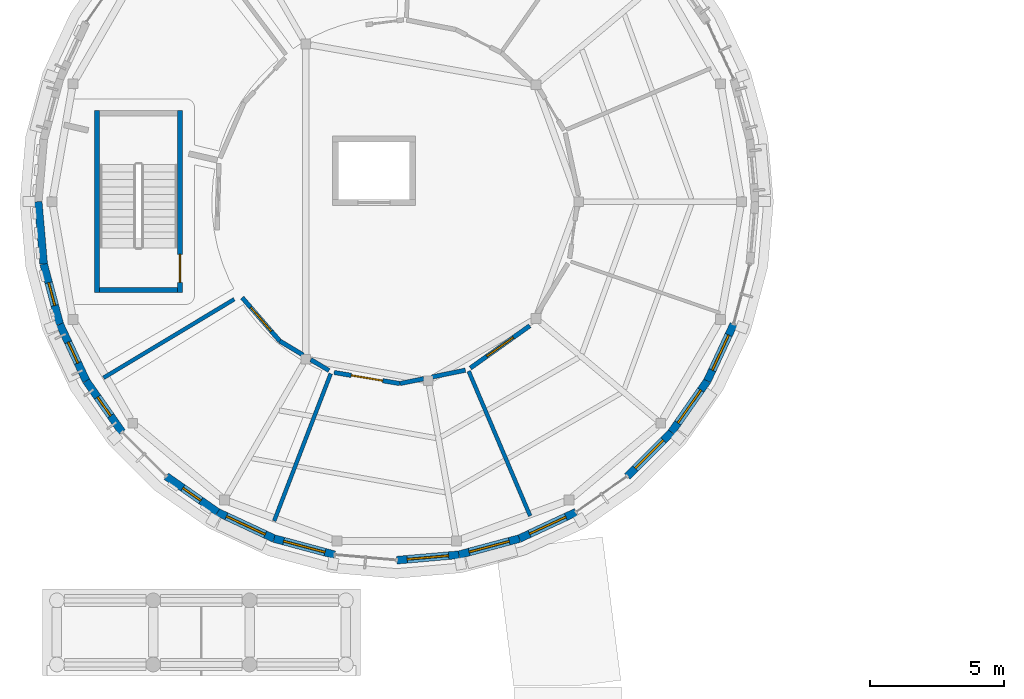
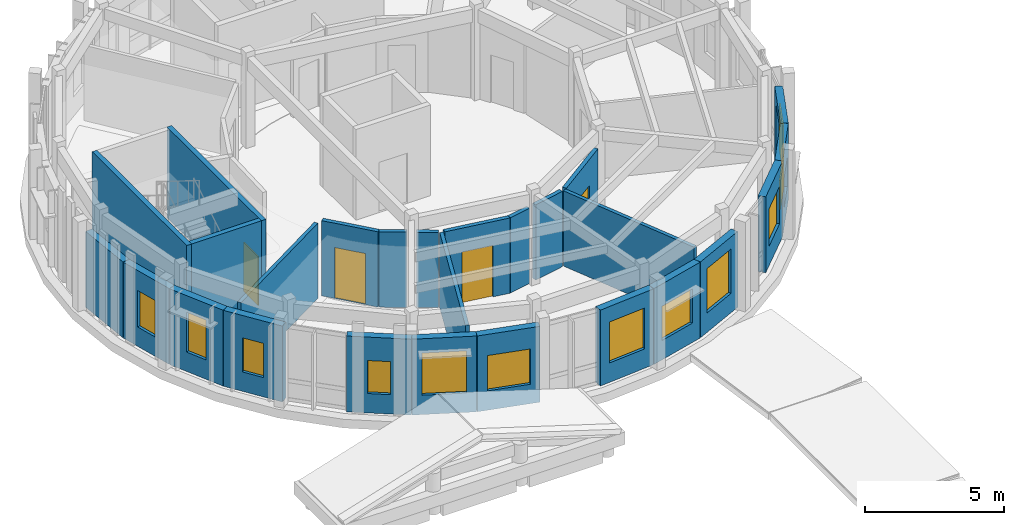
# One storey, part 36 of 58: 26 walls, 12 windows, 4 doors, 16 openings.
"""IFC4 building model written with IfcOpenShell, lengths in metres."""

from ifc_helpers import new_model, si_unit, direction, frame, frame_2d, origin, place, context, subcontext, project, spatial, rectangle, extrude, material, layer, layer_set, type_object, element, fill, save


model = new_model("IFC4")

# Units and contexts
model_context = context("Model", 3, precision=1e-05, world=origin(), true_north=direction((0.0, 1.0)))
body_context = subcontext(model_context, "Body", "Model", "MODEL_VIEW")
ifc_project = project(units=[si_unit("LENGTHUNIT", "METRE"), si_unit("AREAUNIT", "SQUARE_METRE"), si_unit("VOLUMEUNIT", "CUBIC_METRE"), si_unit("PLANEANGLEUNIT", "RADIAN"), si_unit("MASSUNIT", "GRAM", prefix="KILO")], contexts=[model_context])

# Site, building, storey
site_placement = place(None, origin())
site = spatial("IfcSite", under=ifc_project, at=site_placement, CompositionType="ELEMENT")
building_placement = place(site_placement, origin())
building = spatial("IfcBuilding", under=site, at=building_placement, Name="Aldenvaro Health Centre", CompositionType="ELEMENT")
storey_placement = place(building_placement, frame((0.0, 0.0, 8.75)))
storey = spatial("IfcBuildingStorey", under=building, at=storey_placement, Name="L02", CompositionType="ELEMENT", Elevation=8.75)

# Walls
ifc_material_1 = material(Name="Gypsum Stud Acoustic Assembly")
ifc_layer_1 = layer(ifc_material_1, 0.14501953125, Name="Gypsum Stud Acoustic Assembly")
ifc_layer_set_1 = layer_set([ifc_layer_1], Name="Gypsum Stud Acoustic Assembly")
wall_type_1 = type_object("IfcWallType", Name="WL-CLN-145", PredefinedType="PARTITIONING", material=ifc_layer_set_1)
wall_1_placement = place(storey_placement, frame((12.425048828125, 95.85009765625, 0.0), z_axis=(0.0, 0.0, 1.0), x_axis=(-0.857148493381, -0.515069374255, 0.0)))
element("IfcWall", 1, at=wall_1_placement, inside=storey, type_object=wall_type_1, Name="D4 L02 clinical partition 4.2", PredefinedType="PARTITIONING", context=body_context, shape_type="SweptSolid", body=[
    extrude(rectangle(XDim=5.694580078125, YDim=0.14501953125, at=frame_2d((2.84716796875, 0.0))), origin(), (0.0, 0.0, 1.0), 3.303955078125),
])
wall_2_placement = place(storey_placement, frame((16.032958984375, 93.073974609375, 0.0), z_axis=(0.0, 0.0, 1.0), x_axis=(-0.35829933208, -0.933606763381, 0.0)))
element("IfcWall", 2, at=wall_2_placement, inside=storey, type_object=wall_type_1, Name="D4 L02 clinical partition 5.1", PredefinedType="PARTITIONING", context=body_context, shape_type="SweptSolid", body=[
    extrude(rectangle(XDim=5.8974609375, YDim=0.14501953125, at=frame_2d((2.94873046875, 0.0))), origin(), (0.0, 0.0, 1.0), 3.303955078125),
])
wall_3_placement = place(storey_placement, frame((21.18896484375, 93.1640625, 0.0), z_axis=(0.0, 0.0, 1.0), x_axis=(0.390817685438, -0.920468107404, 0.0)))
element("IfcWall", 3, at=wall_3_placement, inside=storey, type_object=wall_type_1, Name="D4 L02 clinical partition 6.1", PredefinedType="PARTITIONING", context=body_context, shape_type="SweptSolid", body=[
    extrude(rectangle(XDim=5.875244140625, YDim=0.14501953125, at=frame_2d((2.9375, 0.0))), origin(), (0.0, 0.0, 1.0), 3.303955078125),
])

# Wall, opening, door
ifc_layer_2 = layer(ifc_material_1, 0.1650390625, Name="Gypsum Stud Acoustic Assembly")
ifc_layer_set_2 = layer_set([ifc_layer_2], Name="Gypsum Stud Acoustic Assembly")
wall_type_2 = type_object("IfcWallType", Name="WL-COR-165", PredefinedType="PARTITIONING", material=ifc_layer_set_2)
wall_4_placement = place(storey_placement, frame((12.72412109375, 95.912109375, 0.0), z_axis=(0.0, 0.0, 1.0), x_axis=(0.654887207042, -0.755726634473, 0.0)))
wall_4 = element("IfcWall", 4, at=wall_4_placement, inside=storey, type_object=wall_type_2, Name="D4 L02 corridor wall 04.1", PredefinedType="PARTITIONING", context=body_context, shape_type="SweptSolid", body=[
    extrude(rectangle(XDim=2.14501953125, YDim=0.1650390625, at=frame_2d((1.072509765625, 0.0))), origin(), (0.0, 0.0, 1.0), 3.303955078125),
])
opening_1_placement = place(wall_4_placement, frame((0.488037109375, 0.0, 0.0)))
opening_1 = element("IfcOpeningElement", 5, at=opening_1_placement, cuts=wall_4, Name="Opening D-25", PredefinedType="OPENING", context=body_context, shape_type="SweptSolid", body=[
    extrude(rectangle(XDim=1.169921875, YDim=2.239990234375, at=frame_2d((0.5849609375, 1.1201171875))), frame((0.0, 0.092529296875, 0.0), z_axis=(0.0, -1.0, 0.0), x_axis=(1.0, 0.0, 0.0)), (0.0, 0.0, 1.0), 0.18505859375),
])
ifc_material_2 = material(Name="Exam Suite Timber Door", Category="wood")
door_type_1 = type_object("IfcDoorType", Name="DR-CLN-25", OperationType="NOTDEFINED", PredefinedType="DOOR", material=ifc_material_2)
door_1_placement = place(opening_1_placement, origin())
door_1 = element("IfcDoor", 6, at=door_1_placement, inside=storey, type_object=door_type_1, Name="Midwifery Consulting Room Door", OperationType="SINGLE_SWING_LEFT", OverallHeight=2.239990234375, OverallWidth=1.169921875, PredefinedType="DOOR", context=body_context, shape_type="SweptSolid", body=[
    extrude(rectangle(XDim=1.169921875, YDim=2.239990234375, at=frame_2d((0.5849609375, 1.1201171875))), frame((0.0, 0.02490234375, 0.0), z_axis=(0.0, -1.0, 0.0), x_axis=(1.0, 0.0, 0.0)), (0.0, 0.0, 1.0), 0.050048828125),
])
fill(opening_1, door_1)

# Walls
wall_5_placement = place(storey_placement, frame((14.12890625, 94.291015625, 0.0), z_axis=(0.0, 0.0, 1.0), x_axis=(0.857789762301, -0.51400070398, 0.0)))
element("IfcWall", 7, at=wall_5_placement, inside=storey, type_object=wall_type_2, Name="D4 L02 corridor wall 04.2", PredefinedType="PARTITIONING", context=body_context, shape_type="SweptSolid", body=[
    extrude(rectangle(XDim=1.015625, YDim=0.1650390625, at=frame_2d((0.5078125, 0.0))), origin(), (0.0, 0.0, 1.0), 3.303955078125),
])
wall_6_placement = place(storey_placement, frame((15.287109375, 93.596923828125, 0.0), z_axis=(0.0, 0.0, 1.0), x_axis=(0.858142882263, -0.513410940301, 0.0)))
element("IfcWall", 8, at=wall_6_placement, inside=storey, type_object=wall_type_2, Name="D4 L02 corridor wall 04.3", PredefinedType="PARTITIONING", context=body_context, shape_type="SweptSolid", body=[
    extrude(rectangle(XDim=0.794677734375, YDim=0.1650390625, at=frame_2d((0.3974609375, 0.0))), origin(), (0.0, 0.0, 1.0), 3.303955078125),
])

# Wall, opening, door
wall_7_placement = place(storey_placement, frame((16.157958984375, 93.115966796875, 0.0), z_axis=(0.0, 0.0, 1.0), x_axis=(0.986074817065, -0.166302300497, 0.0)))
wall_7 = element("IfcWall", 9, at=wall_7_placement, inside=storey, type_object=wall_type_2, Name="D4 L02 corridor wall 05.1", PredefinedType="PARTITIONING", context=body_context, shape_type="SweptSolid", body=[
    extrude(rectangle(XDim=2.49560546875, YDim=0.1650390625, at=frame_2d((1.247802734375, 0.0))), origin(), (0.0, 0.0, 1.0), 3.303955078125),
])
opening_2_placement = place(wall_7_placement, frame((0.653076171875, 0.0, 0.0)))
opening_2 = element("IfcOpeningElement", 10, at=opening_2_placement, cuts=wall_7, Name="Opening D-26", PredefinedType="OPENING", context=body_context, shape_type="SweptSolid", body=[
    extrude(rectangle(XDim=1.18994140625, YDim=2.260009765625, at=frame_2d((0.594970703125, 1.1298828125))), frame((0.0, 0.092529296875, 0.0), z_axis=(0.0, -1.0, 0.0), x_axis=(1.0, 0.0, 0.0)), (0.0, 0.0, 1.0), 0.18505859375),
])
door_type_2 = type_object("IfcDoorType", Name="DR-CLN-26", OperationType="NOTDEFINED", PredefinedType="DOOR", material=ifc_material_2)
door_2_placement = place(opening_2_placement, origin())
door_2 = element("IfcDoor", 11, at=door_2_placement, inside=storey, type_object=door_type_2, Name="Colposcopy Procedure Room Door", OperationType="SINGLE_SWING_RIGHT", OverallHeight=2.260009765625, OverallWidth=1.18994140625, PredefinedType="DOOR", context=body_context, shape_type="SweptSolid", body=[
    extrude(rectangle(XDim=1.18994140625, YDim=2.260009765625, at=frame_2d((0.594970703125, 1.1298828125))), frame((0.0, 0.02490234375, 0.0), z_axis=(0.0, -1.0, 0.0), x_axis=(1.0, 0.0, 0.0)), (0.0, 0.0, 1.0), 0.050048828125),
])
fill(opening_2, door_2)

# Walls
wall_8_placement = place(storey_placement, frame((18.618896484375, 92.700927734375, 0.0), z_axis=(0.0, 0.0, 1.0), x_axis=(0.979621619883, 0.200851890353, 0.0)))
element("IfcWall", 12, at=wall_8_placement, inside=storey, type_object=wall_type_2, Name="D4 L02 corridor wall 05.2", PredefinedType="PARTITIONING", context=body_context, shape_type="SweptSolid", body=[
    extrude(rectangle(XDim=0.91162109375, YDim=0.1650390625, at=frame_2d((0.455810546875, 0.0))), origin(), (0.0, 0.0, 1.0), 3.303955078125),
])
wall_9_placement = place(storey_placement, frame((19.803955078125, 92.944091796875, 0.0), z_axis=(0.0, 0.0, 1.0), x_axis=(0.97970222492, 0.200458351001, 0.0)))
element("IfcWall", 13, at=wall_9_placement, inside=storey, type_object=wall_type_2, Name="D4 L02 corridor wall 05.3", PredefinedType="PARTITIONING", context=body_context, shape_type="SweptSolid", body=[
    extrude(rectangle(XDim=1.2861328125, YDim=0.1650390625, at=frame_2d((0.64306640625, 0.0))), origin(), (0.0, 0.0, 1.0), 3.303955078125),
])

# Wall, opening, door
wall_10_placement = place(storey_placement, frame((21.25, 93.281005859375, 0.0), z_axis=(0.0, 0.0, 1.0), x_axis=(0.814898961152, 0.579603039255, 0.0)))
wall_10 = element("IfcWall", 14, at=wall_10_placement, inside=storey, type_object=wall_type_2, Name="D4 L02 corridor wall 06.1", PredefinedType="PARTITIONING", context=body_context, shape_type="SweptSolid", body=[
    extrude(rectangle(XDim=2.727783203125, YDim=0.1650390625, at=frame_2d((1.36376953125, 0.0))), origin(), (0.0, 0.0, 1.0), 3.303955078125),
])
opening_3_placement = place(wall_10_placement, frame((0.759033203125, 0.0, 0.0)))
opening_3 = element("IfcOpeningElement", 15, at=opening_3_placement, cuts=wall_10, Name="Opening D-27", PredefinedType="OPENING", context=body_context, shape_type="SweptSolid", body=[
    extrude(rectangle(XDim=1.2099609375, YDim=2.159912109375, at=frame_2d((0.60498046875, 1.080078125))), frame((0.0, 0.092529296875, 0.0), z_axis=(0.0, -1.0, 0.0), x_axis=(1.0, 0.0, 0.0)), (0.0, 0.0, 1.0), 0.18505859375),
])
door_type_3 = type_object("IfcDoorType", Name="DR-CLN-27", OperationType="NOTDEFINED", PredefinedType="DOOR", material=ifc_material_2)
door_3_placement = place(opening_3_placement, origin())
door_3 = element("IfcDoor", 16, at=door_3_placement, inside=storey, type_object=door_type_3, Name="Perinatal Education Lounge Door", OperationType="SINGLE_SWING_LEFT", OverallHeight=2.159912109375, OverallWidth=1.2099609375, PredefinedType="DOOR", context=body_context, shape_type="SweptSolid", body=[
    extrude(rectangle(XDim=1.2099609375, YDim=2.159912109375, at=frame_2d((0.60498046875, 1.080078125))), frame((0.0, 0.02490234375, 0.0), z_axis=(0.0, -1.0, 0.0), x_axis=(1.0, 0.0, 0.0)), (0.0, 0.0, 1.0), 0.050048828125),
])
fill(opening_3, door_3)

# Wall, opening, window
ifc_material_3 = material(Name="Cross-laminated timber CLT E1", Category="wood")
ifc_layer_3 = layer(ifc_material_3, 0.2900390625, Name="Cross-laminated timber CLT E1", Category="wood")
ifc_layer_set_3 = layer_set([ifc_layer_3], Name="Cross-laminated timber CLT E1")
wall_type_3 = type_object("IfcWallType", Name="WL-EXT-290", PredefinedType="ELEMENTEDWALL", material=ifc_layer_set_3)
wall_11_placement = place(storey_placement, frame((31.092041015625, 94.9169921875, 0.0), z_axis=(0.0, 0.0, 1.0), x_axis=(-0.422587894318, -0.906321946979, 0.0)))
wall_11 = element("IfcWall", 17, at=wall_11_placement, inside=storey, type_object=wall_type_3, Name="D4 L02 exterior wall 03", PredefinedType="ELEMENTEDWALL", context=body_context, shape_type="SweptSolid", body=[
    extrude(rectangle(XDim=2.335693359375, YDim=0.2900390625, at=frame_2d((1.16796875, 0.0))), origin(), (0.0, 0.0, 1.0), 3.3291015625),
])
opening_4_placement = place(wall_11_placement, frame((0.443115234375, 0.0, 0.85009765625)))
opening_4 = element("IfcOpeningElement", 18, at=opening_4_placement, cuts=wall_11, Name="Opening W-61", PredefinedType="OPENING", context=body_context, shape_type="SweptSolid", body=[
    extrude(rectangle(XDim=1.449951171875, YDim=2.050048828125, at=frame_2d((0.72509765625, 1.02490234375))), frame((0.0, 0.155029296875, 0.0), z_axis=(0.0, -1.0, 0.0), x_axis=(1.0, 0.0, 0.0)), (0.0, 0.0, 1.0), 0.31005859375),
])
ifc_material_4 = material(Name="Thermally Broken Aluminium Low-E Glass", Category="aluminium")
window_type_1 = type_object("IfcWindowType", Name="WN-EXT-61", PartitioningType="SINGLE_PANEL", PredefinedType="WINDOW", material=ifc_material_4)
window_1_placement = place(opening_4_placement, origin())
window_1 = element("IfcWindow", 19, at=window_1_placement, inside=storey, type_object=window_type_1, Name="D4 L02 clinical window 03", OverallHeight=2.050048828125, OverallWidth=1.449951171875, PartitioningType="SINGLE_PANEL", PredefinedType="WINDOW", context=body_context, shape_type="SweptSolid", body=[
    extrude(rectangle(XDim=1.449951171875, YDim=2.050048828125, at=frame_2d((0.72509765625, 1.02490234375))), frame((0.0, 0.030029296875, 0.0), z_axis=(0.0, -1.0, 0.0), x_axis=(1.0, 0.0, 0.0)), (0.0, 0.0, 1.0), 0.06005859375),
])
fill(opening_4, window_1)

wall_12_placement = place(storey_placement, frame((30.10498046875, 92.800048828125, 0.0), z_axis=(0.0, 0.0, 1.0), x_axis=(-0.573728883722, -0.819045278347, 0.0)))
wall_12 = element("IfcWall", 20, at=wall_12_placement, inside=storey, type_object=wall_type_3, Name="D4 L02 exterior wall 04", PredefinedType="ELEMENTEDWALL", context=body_context, shape_type="SweptSolid", body=[
    extrude(rectangle(XDim=2.335693359375, YDim=0.2900390625, at=frame_2d((1.16796875, 0.0))), origin(), (0.0, 0.0, 1.0), 3.3291015625),
])
opening_5_placement = place(wall_12_placement, frame((0.41796875, 0.0, 0.85009765625)))
opening_5 = element("IfcOpeningElement", 21, at=opening_5_placement, cuts=wall_12, Name="Opening W-62", PredefinedType="OPENING", context=body_context, shape_type="SweptSolid", body=[
    extrude(rectangle(XDim=1.5, YDim=1.300048828125, at=frame_2d((0.75, 0.64990234375))), frame((0.0, 0.155029296875, 0.0), z_axis=(0.0, -1.0, 0.0), x_axis=(1.0, 0.0, 0.0)), (0.0, 0.0, 1.0), 0.31005859375),
])
window_type_2 = type_object("IfcWindowType", Name="WN-EXT-62", PartitioningType="SINGLE_PANEL", PredefinedType="WINDOW", material=ifc_material_4)
window_2_placement = place(opening_5_placement, origin())
window_2 = element("IfcWindow", 22, at=window_2_placement, inside=storey, type_object=window_type_2, Name="D4 L02 clinical window 04", OverallHeight=1.300048828125, OverallWidth=1.5, PartitioningType="SINGLE_PANEL", PredefinedType="WINDOW", context=body_context, shape_type="SweptSolid", body=[
    extrude(rectangle(XDim=1.5, YDim=1.300048828125, at=frame_2d((0.75, 0.64990234375))), frame((0.0, 0.030029296875, 0.0), z_axis=(0.0, -1.0, 0.0), x_axis=(1.0, 0.0, 0.0)), (0.0, 0.0, 1.0), 0.06005859375),
])
fill(opening_5, window_2)

wall_13_placement = place(storey_placement, frame((28.764892578125, 90.886962890625, 0.0), z_axis=(0.0, 0.0, 1.0), x_axis=(-0.707106781187, -0.707106781187, 0.0)))
wall_13 = element("IfcWall", 23, at=wall_13_placement, inside=storey, type_object=wall_type_3, Name="D4 L02 exterior wall 05", PredefinedType="ELEMENTEDWALL", context=body_context, shape_type="SweptSolid", body=[
    extrude(rectangle(XDim=2.336181640625, YDim=0.2900390625, at=frame_2d((1.16796875, 0.0))), origin(), (0.0, 0.0, 1.0), 3.3291015625),
])
opening_6_placement = place(wall_13_placement, frame((0.41796875, 0.0, 0.85009765625)))
opening_6 = element("IfcOpeningElement", 24, at=opening_6_placement, cuts=wall_13, Name="Opening W-63", PredefinedType="OPENING", context=body_context, shape_type="SweptSolid", body=[
    extrude(rectangle(XDim=1.5, YDim=1.64990234375, at=frame_2d((0.75, 0.824951171875))), frame((0.0, 0.155029296875, 0.0), z_axis=(0.0, -1.0, 0.0), x_axis=(1.0, 0.0, 0.0)), (0.0, 0.0, 1.0), 0.31005859375),
])
window_type_3 = type_object("IfcWindowType", Name="WN-EXT-63", PartitioningType="SINGLE_PANEL", PredefinedType="WINDOW", material=ifc_material_4)
window_3_placement = place(opening_6_placement, origin())
window_3 = element("IfcWindow", 25, at=window_3_placement, inside=storey, type_object=window_type_3, Name="D4 L02 clinical window 05", OverallHeight=1.64990234375, OverallWidth=1.5, PartitioningType="SINGLE_PANEL", PredefinedType="WINDOW", context=body_context, shape_type="SweptSolid", body=[
    extrude(rectangle(XDim=1.5, YDim=1.64990234375, at=frame_2d((0.75, 0.824951171875))), frame((0.0, 0.030029296875, 0.0), z_axis=(0.0, -1.0, 0.0), x_axis=(1.0, 0.0, 0.0)), (0.0, 0.0, 1.0), 0.06005859375),
])
fill(opening_6, window_3)

wall_14_placement = place(storey_placement, frame((25.199951171875, 87.89501953125, 0.0), z_axis=(0.0, 0.0, 1.0), x_axis=(-0.906321946979, -0.422587894318, 0.0)))
wall_14 = element("IfcWall", 26, at=wall_14_placement, inside=storey, type_object=wall_type_3, Name="D4 L02 exterior wall 07", PredefinedType="ELEMENTEDWALL", context=body_context, shape_type="SweptSolid", body=[
    extrude(rectangle(XDim=2.335693359375, YDim=0.2900390625, at=frame_2d((1.16796875, 0.0))), origin(), (0.0, 0.0, 1.0), 3.3291015625),
])
opening_7_placement = place(wall_14_placement, frame((0.41796875, 0.0, 0.85009765625)))
opening_7 = element("IfcOpeningElement", 27, at=opening_7_placement, cuts=wall_14, Name="Opening W-64", PredefinedType="OPENING", context=body_context, shape_type="SweptSolid", body=[
    extrude(rectangle(XDim=1.5, YDim=1.949951171875, at=frame_2d((0.75, 0.97509765625))), frame((0.0, 0.155029296875, 0.0), z_axis=(0.0, -1.0, 0.0), x_axis=(1.0, 0.0, 0.0)), (0.0, 0.0, 1.0), 0.31005859375),
])
window_type_4 = type_object("IfcWindowType", Name="WN-EXT-64", PartitioningType="SINGLE_PANEL", PredefinedType="WINDOW", material=ifc_material_4)
window_4_placement = place(opening_7_placement, origin())
window_4 = element("IfcWindow", 28, at=window_4_placement, inside=storey, type_object=window_type_4, Name="D4 L02 clinical window 07", OverallHeight=1.949951171875, OverallWidth=1.5, PartitioningType="SINGLE_PANEL", PredefinedType="WINDOW", context=body_context, shape_type="SweptSolid", body=[
    extrude(rectangle(XDim=1.5, YDim=1.949951171875, at=frame_2d((0.75, 0.97509765625))), frame((0.0, 0.030029296875, 0.0), z_axis=(0.0, -1.0, 0.0), x_axis=(1.0, 0.0, 0.0)), (0.0, 0.0, 1.0), 0.06005859375),
])
fill(opening_7, window_4)

wall_15_placement = place(storey_placement, frame((23.0830078125, 86.907958984375, 0.0), z_axis=(0.0, 0.0, 1.0), x_axis=(-0.965981166673, -0.258612423585, 0.0)))
wall_15 = element("IfcWall", 29, at=wall_15_placement, inside=storey, type_object=wall_type_3, Name="D4 L02 exterior wall 08", PredefinedType="ELEMENTEDWALL", context=body_context, shape_type="SweptSolid", body=[
    extrude(rectangle(XDim=2.33544921875, YDim=0.2900390625, at=frame_2d((1.167724609375, 0.0))), origin(), (0.0, 0.0, 1.0), 3.3291015625),
])
opening_8_placement = place(wall_15_placement, frame((0.39306640625, 0.0, 0.85009765625)))
opening_8 = element("IfcOpeningElement", 30, at=opening_8_placement, cuts=wall_15, Name="Opening W-65", PredefinedType="OPENING", context=body_context, shape_type="SweptSolid", body=[
    extrude(rectangle(XDim=1.550048828125, YDim=1.5, at=frame_2d((0.77490234375, 0.75))), frame((0.0, 0.155029296875, 0.0), z_axis=(0.0, -1.0, 0.0), x_axis=(1.0, 0.0, 0.0)), (0.0, 0.0, 1.0), 0.31005859375),
])
window_type_5 = type_object("IfcWindowType", Name="WN-EXT-65", PartitioningType="SINGLE_PANEL", PredefinedType="WINDOW", material=ifc_material_4)
window_5_placement = place(opening_8_placement, origin())
window_5 = element("IfcWindow", 31, at=window_5_placement, inside=storey, type_object=window_type_5, Name="D4 L02 clinical window 08", OverallHeight=1.5, OverallWidth=1.550048828125, PartitioningType="SINGLE_PANEL", PredefinedType="WINDOW", context=body_context, shape_type="SweptSolid", body=[
    extrude(rectangle(XDim=1.550048828125, YDim=1.5, at=frame_2d((0.77490234375, 0.75))), frame((0.0, 0.030029296875, 0.0), z_axis=(0.0, -1.0, 0.0), x_axis=(1.0, 0.0, 0.0)), (0.0, 0.0, 1.0), 0.06005859375),
])
fill(opening_8, window_5)

wall_16_placement = place(storey_placement, frame((20.826904296875, 86.303955078125, 0.0), z_axis=(0.0, 0.0, 1.0), x_axis=(-0.996184295282, -0.087274565792, 0.0)))
wall_16 = element("IfcWall", 32, at=wall_16_placement, inside=storey, type_object=wall_type_3, Name="D4 L02 exterior wall 09", PredefinedType="ELEMENTEDWALL", context=body_context, shape_type="SweptSolid", body=[
    extrude(rectangle(XDim=2.3359375, YDim=0.2900390625, at=frame_2d((1.16796875, 0.0))), origin(), (0.0, 0.0, 1.0), 3.3291015625),
])
opening_9_placement = place(wall_16_placement, frame((0.39306640625, 0.0, 0.85009765625)))
opening_9 = element("IfcOpeningElement", 33, at=opening_9_placement, cuts=wall_16, Name="Opening W-66", PredefinedType="OPENING", context=body_context, shape_type="SweptSolid", body=[
    extrude(rectangle(XDim=1.550048828125, YDim=1.800048828125, at=frame_2d((0.77490234375, 0.89990234375))), frame((0.0, 0.155029296875, 0.0), z_axis=(0.0, -1.0, 0.0), x_axis=(1.0, 0.0, 0.0)), (0.0, 0.0, 1.0), 0.31005859375),
])
window_type_6 = type_object("IfcWindowType", Name="WN-EXT-66", PartitioningType="SINGLE_PANEL", PredefinedType="WINDOW", material=ifc_material_4)
window_6_placement = place(opening_9_placement, origin())
window_6 = element("IfcWindow", 34, at=window_6_placement, inside=storey, type_object=window_type_6, Name="D4 L02 clinical window 09", OverallHeight=1.800048828125, OverallWidth=1.550048828125, PartitioningType="SINGLE_PANEL", PredefinedType="WINDOW", context=body_context, shape_type="SweptSolid", body=[
    extrude(rectangle(XDim=1.550048828125, YDim=1.800048828125, at=frame_2d((0.77490234375, 0.89990234375))), frame((0.0, 0.030029296875, 0.0), z_axis=(0.0, -1.0, 0.0), x_axis=(1.0, 0.0, 0.0)), (0.0, 0.0, 1.0), 0.06005859375),
])
fill(opening_9, window_6)

wall_17_placement = place(storey_placement, frame((16.173095703125, 86.303955078125, 0.0), z_axis=(0.0, 0.0, 1.0), x_axis=(-0.965981166673, 0.258612423585, 0.0)))
wall_17 = element("IfcWall", 35, at=wall_17_placement, inside=storey, type_object=wall_type_3, Name="D4 L02 exterior wall 11", PredefinedType="ELEMENTEDWALL", context=body_context, shape_type="SweptSolid", body=[
    extrude(rectangle(XDim=2.33544921875, YDim=0.2900390625, at=frame_2d((1.167724609375, 0.0))), origin(), (0.0, 0.0, 1.0), 3.3291015625),
])
opening_10_placement = place(wall_17_placement, frame((0.367919921875, 0.0, 0.85009765625)))
opening_10 = element("IfcOpeningElement", 36, at=opening_10_placement, cuts=wall_17, Name="Opening W-67", PredefinedType="OPENING", context=body_context, shape_type="SweptSolid", body=[
    extrude(rectangle(XDim=1.60009765625, YDim=1.550048828125, at=frame_2d((0.800048828125, 0.77490234375))), frame((0.0, 0.155029296875, 0.0), z_axis=(0.0, -1.0, 0.0), x_axis=(1.0, 0.0, 0.0)), (0.0, 0.0, 1.0), 0.31005859375),
])
window_type_7 = type_object("IfcWindowType", Name="WN-EXT-67", PartitioningType="SINGLE_PANEL", PredefinedType="WINDOW", material=ifc_material_4)
window_7_placement = place(opening_10_placement, origin())
window_7 = element("IfcWindow", 37, at=window_7_placement, inside=storey, type_object=window_type_7, Name="D4 L02 clinical window 11", OverallHeight=1.550048828125, OverallWidth=1.60009765625, PartitioningType="SINGLE_PANEL", PredefinedType="WINDOW", context=body_context, shape_type="SweptSolid", body=[
    extrude(rectangle(XDim=1.60009765625, YDim=1.550048828125, at=frame_2d((0.800048828125, 0.77490234375))), frame((0.0, 0.030029296875, 0.0), z_axis=(0.0, -1.0, 0.0), x_axis=(1.0, 0.0, 0.0)), (0.0, 0.0, 1.0), 0.06005859375),
])
fill(opening_10, window_7)

wall_18_placement = place(storey_placement, frame((13.9169921875, 86.907958984375, 0.0), z_axis=(0.0, 0.0, 1.0), x_axis=(-0.906321946979, 0.422587894318, 0.0)))
wall_18 = element("IfcWall", 38, at=wall_18_placement, inside=storey, type_object=wall_type_3, Name="D4 L02 exterior wall 12", PredefinedType="ELEMENTEDWALL", context=body_context, shape_type="SweptSolid", body=[
    extrude(rectangle(XDim=2.335693359375, YDim=0.2900390625, at=frame_2d((1.16796875, 0.0))), origin(), (0.0, 0.0, 1.0), 3.3291015625),
])
opening_11_placement = place(wall_18_placement, frame((0.367919921875, 0.0, 0.85009765625)))
opening_11 = element("IfcOpeningElement", 39, at=opening_11_placement, cuts=wall_18, Name="Opening W-68", PredefinedType="OPENING", context=body_context, shape_type="SweptSolid", body=[
    extrude(rectangle(XDim=1.60009765625, YDim=1.85009765625, at=frame_2d((0.800048828125, 0.925048828125))), frame((0.0, 0.155029296875, 0.0), z_axis=(0.0, -1.0, 0.0), x_axis=(1.0, 0.0, 0.0)), (0.0, 0.0, 1.0), 0.31005859375),
])
window_type_8 = type_object("IfcWindowType", Name="WN-EXT-68", PartitioningType="SINGLE_PANEL", PredefinedType="WINDOW", material=ifc_material_4)
window_8_placement = place(opening_11_placement, origin())
window_8 = element("IfcWindow", 40, at=window_8_placement, inside=storey, type_object=window_type_8, Name="D4 L02 clinical window 12", OverallHeight=1.85009765625, OverallWidth=1.60009765625, PartitioningType="SINGLE_PANEL", PredefinedType="WINDOW", context=body_context, shape_type="SweptSolid", body=[
    extrude(rectangle(XDim=1.60009765625, YDim=1.85009765625, at=frame_2d((0.800048828125, 0.925048828125))), frame((0.0, 0.030029296875, 0.0), z_axis=(0.0, -1.0, 0.0), x_axis=(1.0, 0.0, 0.0)), (0.0, 0.0, 1.0), 0.06005859375),
])
fill(opening_11, window_8)

wall_19_placement = place(storey_placement, frame((11.800048828125, 87.89501953125, 0.0), z_axis=(0.0, 0.0, 1.0), x_axis=(-0.819045278347, 0.573728883722, 0.0)))
wall_19 = element("IfcWall", 41, at=wall_19_placement, inside=storey, type_object=wall_type_3, Name="D4 L02 exterior wall 13", PredefinedType="ELEMENTEDWALL", context=body_context, shape_type="SweptSolid", body=[
    extrude(rectangle(XDim=2.335693359375, YDim=0.2900390625, at=frame_2d((1.16796875, 0.0))), origin(), (0.0, 0.0, 1.0), 3.3291015625),
])
opening_12_placement = place(wall_19_placement, frame((0.758056640625, 0.0, 0.85009765625)))
opening_12 = element("IfcOpeningElement", 42, at=opening_12_placement, cuts=wall_19, Name="Opening W-01", PredefinedType="OPENING", context=body_context, shape_type="SweptSolid", body=[
    extrude(rectangle(XDim=0.820068359375, YDim=1.449951171875, at=frame_2d((0.41015625, 0.72509765625))), frame((0.0, 0.155029296875, 0.0), z_axis=(0.0, -1.0, 0.0), x_axis=(1.0, 0.0, 0.0)), (0.0, 0.0, 1.0), 0.31005859375),
])
window_type_9 = type_object("IfcWindowType", Name="WN-EXT-01", PartitioningType="SINGLE_PANEL", PredefinedType="WINDOW", material=ifc_material_4)
window_9_placement = place(opening_12_placement, origin())
window_9 = element("IfcWindow", 43, at=window_9_placement, inside=storey, type_object=window_type_9, Name="D4 L02 clinical window 13", OverallHeight=1.449951171875, OverallWidth=0.820068359375, PartitioningType="SINGLE_PANEL", PredefinedType="WINDOW", context=body_context, shape_type="SweptSolid", body=[
    extrude(rectangle(XDim=0.820068359375, YDim=1.449951171875, at=frame_2d((0.41015625, 0.72509765625))), frame((0.0, 0.030029296875, 0.0), z_axis=(0.0, -1.0, 0.0), x_axis=(1.0, 0.0, 0.0)), (0.0, 0.0, 1.0), 0.06005859375),
])
fill(opening_12, window_9)

wall_20_placement = place(storey_placement, frame((8.235107421875, 90.886962890625, 0.0), z_axis=(0.0, 0.0, 1.0), x_axis=(-0.573728883722, 0.819045278347, 0.0)))
wall_20 = element("IfcWall", 44, at=wall_20_placement, inside=storey, type_object=wall_type_3, Name="D4 L02 exterior wall 15", PredefinedType="ELEMENTEDWALL", context=body_context, shape_type="SweptSolid", body=[
    extrude(rectangle(XDim=2.335693359375, YDim=0.2900390625, at=frame_2d((1.16796875, 0.0))), origin(), (0.0, 0.0, 1.0), 3.3291015625),
])
opening_13_placement = place(wall_20_placement, frame((0.742919921875, 0.0, 0.85009765625)))
opening_13 = element("IfcOpeningElement", 45, at=opening_13_placement, cuts=wall_20, Name="Opening W-02", PredefinedType="OPENING", context=body_context, shape_type="SweptSolid", body=[
    extrude(rectangle(XDim=0.85009765625, YDim=1.5, at=frame_2d((0.425048828125, 0.75))), frame((0.0, 0.155029296875, 0.0), z_axis=(0.0, -1.0, 0.0), x_axis=(1.0, 0.0, 0.0)), (0.0, 0.0, 1.0), 0.31005859375),
])
window_type_10 = type_object("IfcWindowType", Name="WN-EXT-02", PartitioningType="SINGLE_PANEL", PredefinedType="WINDOW", material=ifc_material_4)
window_10_placement = place(opening_13_placement, origin())
window_10 = element("IfcWindow", 46, at=window_10_placement, inside=storey, type_object=window_type_10, Name="D4 L02 clinical window 15", OverallHeight=1.5, OverallWidth=0.85009765625, PartitioningType="SINGLE_PANEL", PredefinedType="WINDOW", context=body_context, shape_type="SweptSolid", body=[
    extrude(rectangle(XDim=0.85009765625, YDim=1.5, at=frame_2d((0.425048828125, 0.75))), frame((0.0, 0.030029296875, 0.0), z_axis=(0.0, -1.0, 0.0), x_axis=(1.0, 0.0, 0.0)), (0.0, 0.0, 1.0), 0.06005859375),
])
fill(opening_13, window_10)

wall_21_placement = place(storey_placement, frame((6.89501953125, 92.800048828125, 0.0), z_axis=(0.0, 0.0, 1.0), x_axis=(-0.422587894318, 0.906321946979, 0.0)))
wall_21 = element("IfcWall", 47, at=wall_21_placement, inside=storey, type_object=wall_type_3, Name="D4 L02 exterior wall 16", PredefinedType="ELEMENTEDWALL", context=body_context, shape_type="SweptSolid", body=[
    extrude(rectangle(XDim=2.335693359375, YDim=0.2900390625, at=frame_2d((1.16796875, 0.0))), origin(), (0.0, 0.0, 1.0), 3.3291015625),
])
opening_14_placement = place(wall_21_placement, frame((0.742919921875, 0.0, 0.85009765625)))
opening_14 = element("IfcOpeningElement", 48, at=opening_14_placement, cuts=wall_21, Name="Opening W-03", PredefinedType="OPENING", context=body_context, shape_type="SweptSolid", body=[
    extrude(rectangle(XDim=0.85009765625, YDim=1.75, at=frame_2d((0.425048828125, 0.875))), frame((0.0, 0.155029296875, 0.0), z_axis=(0.0, -1.0, 0.0), x_axis=(1.0, 0.0, 0.0)), (0.0, 0.0, 1.0), 0.31005859375),
])
window_type_11 = type_object("IfcWindowType", Name="WN-EXT-03", PartitioningType="SINGLE_PANEL", PredefinedType="WINDOW", material=ifc_material_4)
window_11_placement = place(opening_14_placement, origin())
window_11 = element("IfcWindow", 49, at=window_11_placement, inside=storey, type_object=window_type_11, Name="D4 L02 clinical window 16", OverallHeight=1.75, OverallWidth=0.85009765625, PartitioningType="SINGLE_PANEL", PredefinedType="WINDOW", context=body_context, shape_type="SweptSolid", body=[
    extrude(rectangle(XDim=0.85009765625, YDim=1.75, at=frame_2d((0.425048828125, 0.875))), frame((0.0, 0.030029296875, 0.0), z_axis=(0.0, -1.0, 0.0), x_axis=(1.0, 0.0, 0.0)), (0.0, 0.0, 1.0), 0.06005859375),
])
fill(opening_14, window_11)

wall_22_placement = place(storey_placement, frame((5.907958984375, 94.9169921875, 0.0), z_axis=(0.0, 0.0, 1.0), x_axis=(-0.258612423585, 0.965981166673, 0.0)))
wall_22 = element("IfcWall", 50, at=wall_22_placement, inside=storey, type_object=wall_type_3, Name="D4 L02 exterior wall 17", PredefinedType="ELEMENTEDWALL", context=body_context, shape_type="SweptSolid", body=[
    extrude(rectangle(XDim=2.33544921875, YDim=0.2900390625, at=frame_2d((1.167724609375, 0.0))), origin(), (0.0, 0.0, 1.0), 3.3291015625),
])
opening_15_placement = place(wall_22_placement, frame((0.72802734375, 0.0, 0.85009765625)))
opening_15 = element("IfcOpeningElement", 51, at=opening_15_placement, cuts=wall_22, Name="Opening W-04", PredefinedType="OPENING", context=body_context, shape_type="SweptSolid", body=[
    extrude(rectangle(XDim=0.8798828125, YDim=1.60009765625, at=frame_2d((0.43994140625, 0.800048828125))), frame((0.0, 0.155029296875, 0.0), z_axis=(0.0, -1.0, 0.0), x_axis=(1.0, 0.0, 0.0)), (0.0, 0.0, 1.0), 0.31005859375),
])
window_type_12 = type_object("IfcWindowType", Name="WN-EXT-04", PartitioningType="SINGLE_PANEL", PredefinedType="WINDOW", material=ifc_material_4)
window_12_placement = place(opening_15_placement, origin())
window_12 = element("IfcWindow", 52, at=window_12_placement, inside=storey, type_object=window_type_12, Name="D4 L02 clinical window 17", OverallHeight=1.60009765625, OverallWidth=0.8798828125, PartitioningType="SINGLE_PANEL", PredefinedType="WINDOW", context=body_context, shape_type="SweptSolid", body=[
    extrude(rectangle(XDim=0.8798828125, YDim=1.60009765625, at=frame_2d((0.43994140625, 0.800048828125))), frame((0.0, 0.030029296875, 0.0), z_axis=(0.0, -1.0, 0.0), x_axis=(1.0, 0.0, 0.0)), (0.0, 0.0, 1.0), 0.06005859375),
])
fill(opening_15, window_12)

# Wall
wall_23_placement = place(storey_placement, frame((5.303955078125, 97.173095703125, 0.0), z_axis=(0.0, 0.0, 1.0), x_axis=(-0.087274565792, 0.996184295282, 0.0)))
element("IfcWall", 53, at=wall_23_placement, inside=storey, type_object=wall_type_3, Name="D4 L02 exterior wall 18", PredefinedType="ELEMENTEDWALL", context=body_context, shape_type="SweptSolid", body=[
    extrude(rectangle(XDim=2.3359375, YDim=0.2900390625, at=frame_2d((1.16796875, 0.0))), origin(), (0.0, 0.0, 1.0), 3.3291015625),
])

# Wall, opening, door
ifc_material_5 = material(Name="Concrete f'c 40 MPa", Category="concrete")
ifc_layer_4 = layer(ifc_material_5, 0.199951171875, Name="Concrete f'c 40 MPa", Category="concrete")
ifc_layer_set_4 = layer_set([ifc_layer_4], Name="Concrete f'c 40 MPa")
wall_type_4 = type_object("IfcWallType", Name="WL-SHAFT-200", PredefinedType="SHEAR", material=ifc_layer_set_4)
wall_24_placement = place(storey_placement, frame((10.39990234375, 96.10009765625, 0.0), z_axis=(0.0, 0.0, 1.0), x_axis=(0.0, 1.0, 0.0)))
wall_24 = element("IfcWall", 54, at=wall_24_placement, inside=storey, type_object=wall_type_4, Name="ST-08 L02 inner core wall", PredefinedType="SHEAR", context=body_context, shape_type="SweptSolid", body=[
    extrude(rectangle(XDim=6.7998046875, YDim=0.199951171875, at=frame_2d((3.39990234375, 0.0))), origin(), (0.0, 0.0, 1.0), 3.97509765625),
])
opening_16_placement = place(wall_24_placement, frame((0.3798828125, 0.0, 0.0)))
opening_16 = element("IfcOpeningElement", 55, at=opening_16_placement, cuts=wall_24, Name="Opening FD-02", PredefinedType="OPENING", context=body_context, shape_type="SweptSolid", body=[
    extrude(rectangle(XDim=1.050048828125, YDim=2.14990234375, at=frame_2d((0.52490234375, 1.074951171875))), frame((0.0, 0.10986328125, 0.0), z_axis=(0.0, -1.0, 0.0), x_axis=(1.0, 0.0, 0.0)), (0.0, 0.0, 1.0), 0.219970703125),
])
ifc_material_6 = material(Name="Fire-Rated Steel Door Assembly", Category="steel")
door_type_4 = type_object("IfcDoorType", Name="DR-STAIR-105", OperationType="NOTDEFINED", PredefinedType="DOOR", material=ifc_material_6)
door_4_placement = place(opening_16_placement, origin())
door_4 = element("IfcDoor", 56, at=door_4_placement, inside=storey, type_object=door_type_4, Name="ST-08 L02 fire stair door", OperationType="SINGLE_SWING_LEFT", OverallHeight=2.14990234375, OverallWidth=1.050048828125, PredefinedType="DOOR", context=body_context, shape_type="SweptSolid", body=[
    extrude(rectangle(XDim=1.050048828125, YDim=2.14990234375, at=frame_2d((0.52490234375, 1.074951171875))), frame((0.0, 0.02490234375, 0.0), z_axis=(0.0, -1.0, 0.0), x_axis=(1.0, 0.0, 0.0)), (0.0, 0.0, 1.0), 0.050048828125),
])
fill(opening_16, door_4)

# Walls
wall_25_placement = place(storey_placement, frame((7.300048828125, 96.10009765625, 0.0), z_axis=(0.0, 0.0, 1.0), x_axis=(0.0, 1.0, 0.0)))
element("IfcWall", 57, at=wall_25_placement, inside=storey, type_object=wall_type_4, Name="ST-08 L02 far core wall", PredefinedType="SHEAR", context=body_context, shape_type="SweptSolid", body=[
    extrude(rectangle(XDim=6.7998046875, YDim=0.199951171875, at=frame_2d((3.39990234375, 0.0))), origin(), (0.0, 0.0, 1.0), 3.97509765625),
])
wall_26_placement = place(storey_placement, frame((10.300048828125, 96.199951171875, 0.0), z_axis=(0.0, 0.0, 1.0), x_axis=(-1.0, 0.0, 0.0)))
element("IfcWall", 58, at=wall_26_placement, inside=storey, type_object=wall_type_4, Name="ST-08 L02 side core wall L", PredefinedType="SHEAR", context=body_context, shape_type="SweptSolid", body=[
    extrude(rectangle(XDim=2.900146484375, YDim=0.199951171875, at=frame_2d((1.4501953125, 0.0))), origin(), (0.0, 0.0, 1.0), 3.97509765625),
])

save(model, "model.ifc")
